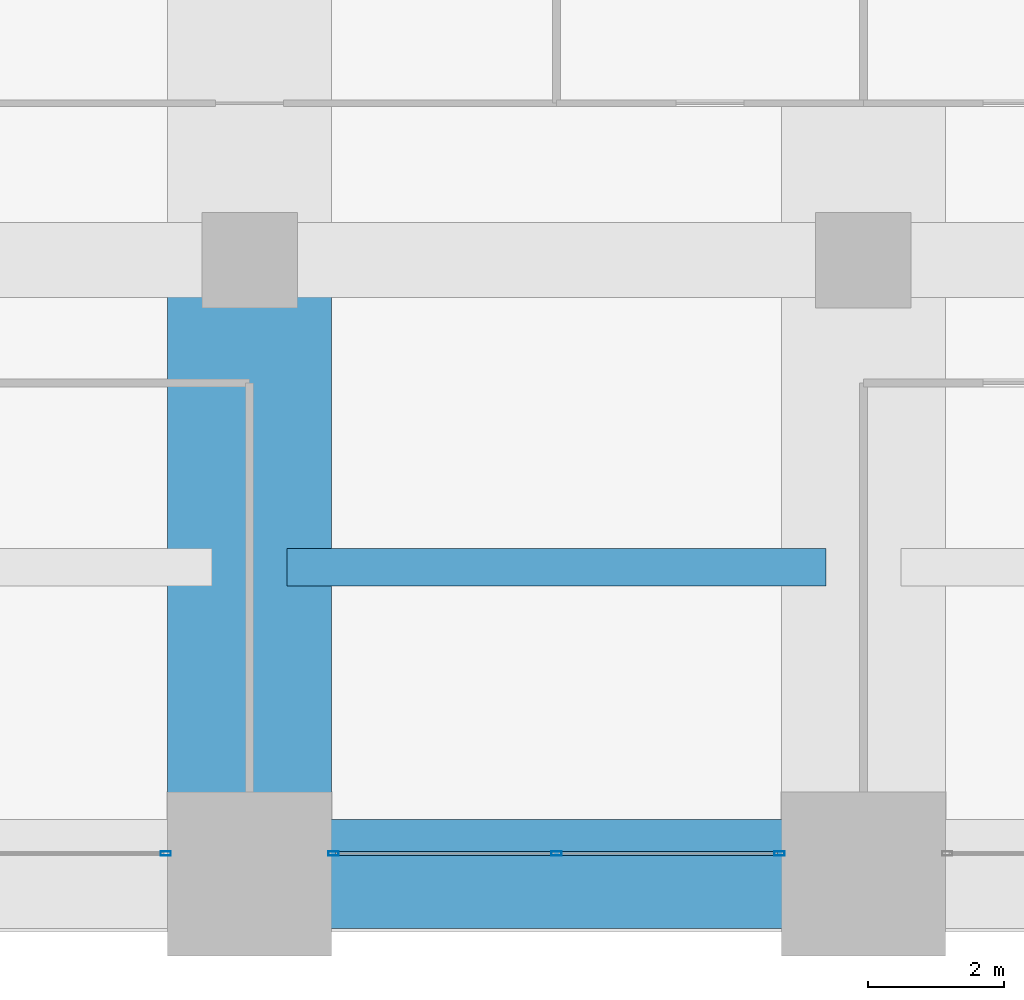
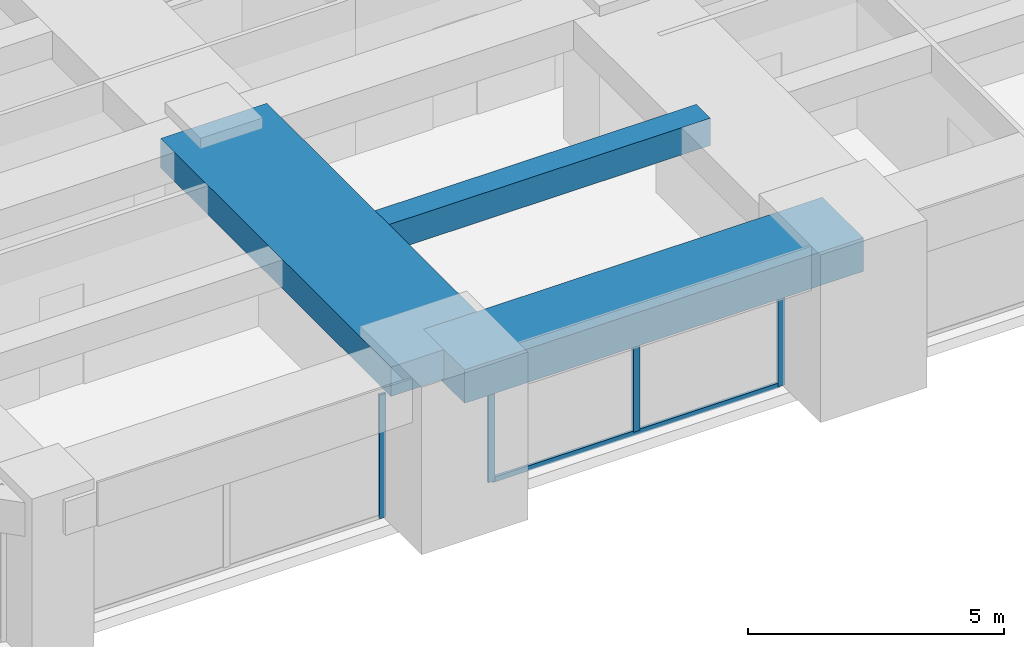
# One storey, part 6 of 34: 5 members, 3 beams, 2 elements without a shape of their own.
"""IFC4 building model written with IfcOpenShell, lengths in metres."""

from ifc_helpers import new_model, si_unit, direction, frame, origin, origin_2d, place, context, subcontext, project, spatial, rectangle, hollow_rectangle, extrude, material, material_profile, profile_set, type_object, element, aggregate, save


model = new_model("IFC4")

# Units and contexts
model_context = context("Model", 3, precision=1e-05, world=origin(), true_north=direction((0.0, 1.0)))
body_context = subcontext(model_context, "Body", "Model", "MODEL_VIEW")
ifc_project = project(units=[si_unit("LENGTHUNIT", "METRE"), si_unit("AREAUNIT", "SQUARE_METRE"), si_unit("VOLUMEUNIT", "CUBIC_METRE"), si_unit("PLANEANGLEUNIT", "RADIAN"), si_unit("MASSUNIT", "GRAM", prefix="KILO")], contexts=[model_context])

# Site, building, storey
site_placement = place(None, origin())
site = spatial("IfcSite", under=ifc_project, at=site_placement, CompositionType="ELEMENT")
building_placement = place(site_placement, origin())
building = spatial("IfcBuilding", under=site, at=building_placement, Name="Zorevar Civic Tower", CompositionType="ELEMENT")
storey_placement = place(building_placement, frame((0.0, 0.0, 226.199951171875)))
storey = spatial("IfcBuildingStorey", under=building, at=storey_placement, Name="L55", CompositionType="ELEMENT", Elevation=226.199951171875)

# Beams
ifc_material_1 = material(Name="Concrete C50/60", Category="concrete")
ifc_material_profile_1 = material_profile(ifc_material_1, rectangle(XDim=2.39990234375, YDim=0.699951171875, at=origin_2d()), Name="RC 2400x700")
ifc_profile_set_1 = profile_set([ifc_material_profile_1], Name="Concrete C50/60")
beam_type_1 = type_object("IfcBeamType", Name="Beam RC 2400x700", PredefinedType="BEAM", material=ifc_profile_set_1)
beam_1_placement = place(storey_placement, frame((18.0, 0.0, 3.400146484375), z_axis=(0.0, 1.0, 0.0), x_axis=(-1.0, 0.0, 0.0)))
element("IfcBeam", 1, at=beam_1_placement, inside=storey, type_object=beam_type_1, Name="Girder L56", PredefinedType="BEAM", context=body_context, shape_type="SweptSolid", body=[
    extrude(rectangle(XDim=2.39990234375, YDim=0.699951171875, at=origin_2d()), origin(), (0.0, 0.0, 1.0), 9.0),
])
ifc_material_2 = material(Name="Concrete C50/60", Category="concrete")
ifc_material_profile_2 = material_profile(ifc_material_2, rectangle(XDim=0.550048828125, YDim=0.64990234375, at=origin_2d()), Name="RC 550x650")
ifc_profile_set_2 = profile_set([ifc_material_profile_2], Name="Concrete C50/60")
beam_type_2 = type_object("IfcBeamType", Name="Beam RC 550x650", PredefinedType="BEAM", material=ifc_profile_set_2)
beam_2_placement = place(storey_placement, frame((18.550048828125, 4.5, 3.425048828125), z_axis=(1.0, 0.0, 0.0), x_axis=(0.0, 1.0, 0.0)))
element("IfcBeam", 2, at=beam_2_placement, inside=storey, type_object=beam_type_2, Name="Secondary beam L56", PredefinedType="BEAM", context=body_context, shape_type="SweptSolid", body=[
    extrude(rectangle(XDim=0.550048828125, YDim=0.64990234375, at=origin_2d()), origin(), (0.0, 0.0, 1.0), 7.89990234375),
])

# Curtain wall, member
ifc_material_3 = material(Name="Dark grey solar-control glass in black aluminium frame", Category="aluminium")
curtain_wall_type = type_object("IfcCurtainWallType", Name="Curtain wall CW4 high zone", PredefinedType="NOTDEFINED", material=ifc_material_3)
curtain_wall_1_placement = place(storey_placement, origin())
curtain_wall_1 = element("IfcCurtainWall", 3, at=curtain_wall_1_placement, inside=storey, type_object=curtain_wall_type, Name="CW4 L55", PredefinedType="NOTDEFINED")
ifc_material_4 = material(Name="Aluminium, black anodised", Category="aluminium")
ifc_material_profile_3 = material_profile(ifc_material_4, hollow_rectangle(XDim=0.06005859375, YDim=0.14990234375, WallThickness=0.00390625, at=origin_2d()), Name="AL 150x60x4")
ifc_profile_set_3 = profile_set([ifc_material_profile_3], Name="Aluminium, black anodised")
member_type_1 = type_object("IfcMemberType", Name="CW4 mullion AL 150x60x4", PredefinedType="MULLION", material=ifc_profile_set_3)
member_1_placement = place(storey_placement, frame((16.77001953125, 0.300048828125, 0.0), z_axis=(0.0, 0.0, 1.0), x_axis=(0.0, 1.0, 0.0)))
member_1 = element("IfcMember", 4, at=member_1_placement, type_object=member_type_1, Name="CW4 mullion 3", PredefinedType="MULLION", context=body_context, shape_type="SweptSolid", body=[
    extrude(hollow_rectangle(XDim=0.06005859375, YDim=0.14990234375, WallThickness=0.00390625, at=origin_2d()), origin(), (0.0, 0.0, 1.0), 2.949951171875),
])
aggregate(curtain_wall_1, [member_1])

# Curtain wall, members
curtain_wall_2_placement = place(storey_placement, origin())
curtain_wall_2 = element("IfcCurtainWall", 5, at=curtain_wall_2_placement, inside=storey, type_object=curtain_wall_type, Name="CW4 L55", PredefinedType="NOTDEFINED")
member_2_placement = place(storey_placement, frame((19.22998046875, 0.300048828125, 0.0), z_axis=(0.0, 0.0, 1.0), x_axis=(0.0, 1.0, 0.0)))
member_2 = element("IfcMember", 6, at=member_2_placement, type_object=member_type_1, Name="CW4 mullion 1", PredefinedType="MULLION", context=body_context, shape_type="SweptSolid", body=[
    extrude(hollow_rectangle(XDim=0.06005859375, YDim=0.14990234375, WallThickness=0.00390625, at=origin_2d()), origin(), (0.0, 0.0, 1.0), 2.949951171875),
])
member_3_placement = place(storey_placement, frame((22.5, 0.300048828125, 0.06005859375), z_axis=(0.0, 0.0, 1.0), x_axis=(0.0, 1.0, 0.0)))
member_3 = element("IfcMember", 7, at=member_3_placement, type_object=member_type_1, Name="CW4 mullion 2", PredefinedType="MULLION", context=body_context, shape_type="SweptSolid", body=[
    extrude(hollow_rectangle(XDim=0.06005859375, YDim=0.14990234375, WallThickness=0.00390625, at=origin_2d()), origin(), (0.0, 0.0, 1.0), 2.889892578125),
])
member_4_placement = place(storey_placement, frame((25.77001953125, 0.300048828125, 0.0), z_axis=(0.0, 0.0, 1.0), x_axis=(0.0, 1.0, 0.0)))
member_4 = element("IfcMember", 8, at=member_4_placement, type_object=member_type_1, Name="CW4 mullion 3", PredefinedType="MULLION", context=body_context, shape_type="SweptSolid", body=[
    extrude(hollow_rectangle(XDim=0.06005859375, YDim=0.14990234375, WallThickness=0.00390625, at=origin_2d()), origin(), (0.0, 0.0, 1.0), 2.949951171875),
])
ifc_material_5 = material(Name="Aluminium, black anodised", Category="aluminium")
ifc_material_profile_4 = material_profile(ifc_material_5, hollow_rectangle(XDim=0.06005859375, YDim=0.1201171875, WallThickness=0.0029296875, at=origin_2d()), Name="AL 120x60x3")
ifc_profile_set_4 = profile_set([ifc_material_profile_4], Name="Aluminium, black anodised")
member_type_2 = type_object("IfcMemberType", Name="CW4 transom AL 120x60x3", PredefinedType="USERDEFINED", material=ifc_profile_set_4)
member_5_placement = place(storey_placement, frame((19.260009765625, 0.300048828125, 0.030029296875), z_axis=(1.0, 0.0, 0.0), x_axis=(0.0, 1.0, 0.0)))
member_5 = element("IfcMember", 9, at=member_5_placement, type_object=member_type_2, Name="CW4 sill transom", ObjectType="TRANSOM", PredefinedType="USERDEFINED", context=body_context, shape_type="SweptSolid", body=[
    extrude(hollow_rectangle(XDim=0.06005859375, YDim=0.1201171875, WallThickness=0.0029296875, at=origin_2d()), origin(), (0.0, 0.0, 1.0), 6.47998046875),
])
aggregate(curtain_wall_2, [member_2, member_3, member_4, member_5])

# Beam
ifc_material_6 = material(Name="Concrete C50/60", Category="concrete")
ifc_material_profile_5 = material_profile(ifc_material_6, rectangle(XDim=1.60009765625, YDim=0.800048828125, at=origin_2d()), Name="RC 1600x800")
ifc_profile_set_5 = profile_set([ifc_material_profile_5], Name="Concrete C50/60")
beam_type_3 = type_object("IfcBeamType", Name="Edge beam RC 1600x800", PredefinedType="SPANDREL", material=ifc_profile_set_5)
beam_3_placement = place(storey_placement, frame((18.0, 0.0, 3.35009765625), z_axis=(1.0, 0.0, 0.0), x_axis=(0.0, 1.0, 0.0)))
element("IfcBeam", 10, at=beam_3_placement, inside=storey, type_object=beam_type_3, Name="Edge beam L56", PredefinedType="SPANDREL", context=body_context, shape_type="SweptSolid", body=[
    extrude(rectangle(XDim=1.60009765625, YDim=0.800048828125, at=origin_2d()), origin(), (0.0, 0.0, 1.0), 9.0),
])

save(model, "model.ifc")
